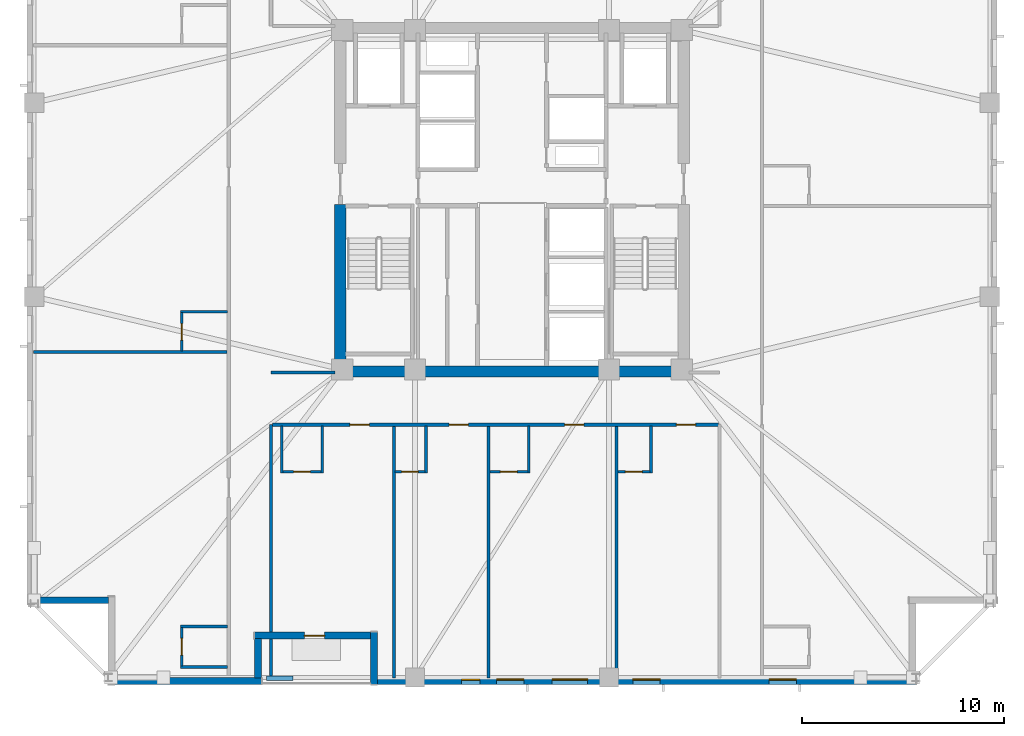
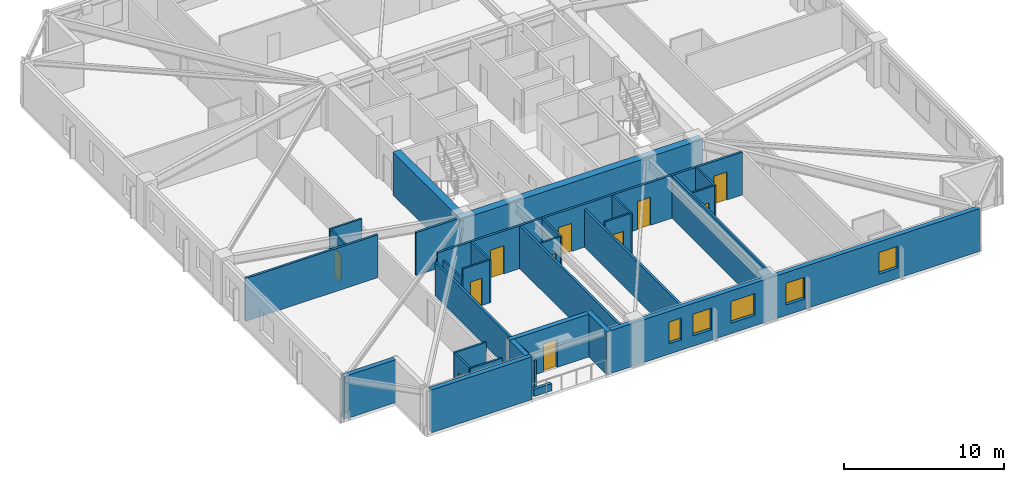
# One storey, part 2 of 11: 30 walls, 11 doors, 5 windows, 16 openings.
"""IFC4 building model written with IfcOpenShell, lengths in metres."""

from ifc_helpers import new_model, si_unit, direction, frame, frame_2d, origin, place, context, subcontext, project, spatial, rectangle, extrude, material, layer, layer_set, type_object, element, fill, save


model = new_model("IFC4")

# Units and contexts
model_context = context("Model", 3, precision=1e-05, world=origin(), true_north=direction((0.0, 1.0)))
body_context = subcontext(model_context, "Body", "Model", "MODEL_VIEW")
ifc_project = project(units=[si_unit("LENGTHUNIT", "METRE"), si_unit("AREAUNIT", "SQUARE_METRE"), si_unit("VOLUMEUNIT", "CUBIC_METRE"), si_unit("PLANEANGLEUNIT", "RADIAN"), si_unit("MASSUNIT", "GRAM", prefix="KILO")], contexts=[model_context])

# Site, building, storey
site_placement = place(None, origin())
site = spatial("IfcSite", under=ifc_project, at=site_placement, CompositionType="ELEMENT")
building_placement = place(site_placement, origin())
building = spatial("IfcBuilding", under=site, at=building_placement, Name="Cairnveth Concourse Tower", CompositionType="ELEMENT")
storey_placement = place(building_placement, frame((0.0, 0.0, 141.0)))
storey = spatial("IfcBuildingStorey", under=building, at=storey_placement, Name="L38", CompositionType="ELEMENT", Elevation=141.0)

# Walls
ifc_material_1 = material(Name="Gypsum Plasterboard Partition", Category="gypsum")
ifc_layer_1 = layer(ifc_material_1, 0.159912109375)
ifc_layer_set_1 = layer_set([ifc_layer_1], Name="Gypsum Plasterboard Partition")
wall_type_1 = type_object("IfcWallType", Name="ACOUSTIC PARTY WALL 180", PredefinedType="PARTITIONING", material=ifc_layer_set_1)
wall_1_placement = place(storey_placement, frame((40.074951171875, 15.4150390625, 0.0), z_axis=(0.0, 0.0, 1.0), x_axis=(0.0, 1.0, 0.0)))
element("IfcWall", 1, at=wall_1_placement, inside=storey, type_object=wall_type_1, Name="Interior Wall IW-L38-037", PredefinedType="PARTITIONING", context=body_context, shape_type="SweptSolid", body=[
    extrude(rectangle(XDim=12.445068359375, YDim=0.159912109375, at=frame_2d((6.22265625, 0.0))), origin(), (0.0, 0.0, 1.0), 2.554931640625),
])
wall_2_placement = place(storey_placement, frame((40.074951171875, 30.449951171875, 0.0), z_axis=(0.0, 0.0, 1.0), x_axis=(1.0, 0.0, 0.0)))
element("IfcWall", 2, at=wall_2_placement, inside=storey, type_object=wall_type_1, Name="Interior Wall IW-L38-039", PredefinedType="PARTITIONING", context=body_context, shape_type="SweptSolid", body=[
    extrude(rectangle(XDim=3.16015625, YDim=0.159912109375, at=frame_2d((1.580078125, 0.0))), origin(), (0.0, 0.0, 1.0), 3.280029296875),
])

# Wall, openings, doors
wall_3_placement = place(storey_placement, frame((40.139892578125, 27.860107421875, 0.0), z_axis=(0.0, 0.0, 1.0), x_axis=(1.0, 0.0, 0.0)))
wall_3 = element("IfcWall", 3, at=wall_3_placement, inside=storey, type_object=wall_type_1, Name="Interior Wall IW-L38-046", PredefinedType="PARTITIONING", context=body_context, shape_type="SweptSolid", body=[
    extrude(rectangle(XDim=22.070068359375, YDim=0.159912109375, at=frame_2d((11.03515625, 0.0))), origin(), (0.0, 0.0, 1.0), 3.280029296875),
])
opening_1_placement = place(wall_3_placement, frame((3.833740234375, 0.0, 0.0)))
opening_1 = element("IfcOpeningElement", 4, at=opening_1_placement, cuts=wall_3, Name="Opening ID09", PredefinedType="OPENING", context=body_context, shape_type="SweptSolid", body=[
    extrude(rectangle(XDim=0.9599609375, YDim=2.14990234375, at=frame_2d((0.47998046875, 1.074951171875))), frame((0.0, 0.08984375, 0.0), z_axis=(0.0, -1.0, 0.0), x_axis=(1.0, 0.0, 0.0)), (0.0, 0.0, 1.0), 0.179931640625),
])
opening_2_placement = place(wall_3_placement, frame((8.746337890625, 0.0, 0.0)))
opening_2 = element("IfcOpeningElement", 5, at=opening_2_placement, cuts=wall_3, Name="Opening ID09", PredefinedType="OPENING", context=body_context, shape_type="SweptSolid", body=[
    extrude(rectangle(XDim=0.9599609375, YDim=2.14990234375, at=frame_2d((0.47998046875, 1.074951171875))), frame((0.0, 0.08984375, 0.0), z_axis=(0.0, -1.0, 0.0), x_axis=(1.0, 0.0, 0.0)), (0.0, 0.0, 1.0), 0.179931640625),
])
opening_3_placement = place(wall_3_placement, frame((14.4599609375, 0.0, 0.0)))
opening_3 = element("IfcOpeningElement", 6, at=opening_3_placement, cuts=wall_3, Name="Opening ID09", PredefinedType="OPENING", context=body_context, shape_type="SweptSolid", body=[
    extrude(rectangle(XDim=0.9599609375, YDim=2.14990234375, at=frame_2d((0.47998046875, 1.074951171875))), frame((0.0, 0.08984375, 0.0), z_axis=(0.0, -1.0, 0.0), x_axis=(1.0, 0.0, 0.0)), (0.0, 0.0, 1.0), 0.179931640625),
])
opening_4_placement = place(wall_3_placement, frame((19.99267578125, 0.0, 0.0)))
opening_4 = element("IfcOpeningElement", 7, at=opening_4_placement, cuts=wall_3, Name="Opening ID09", PredefinedType="OPENING", context=body_context, shape_type="SweptSolid", body=[
    extrude(rectangle(XDim=0.9599609375, YDim=2.14990234375, at=frame_2d((0.47998046875, 1.074951171875))), frame((0.0, 0.08984375, 0.0), z_axis=(0.0, -1.0, 0.0), x_axis=(1.0, 0.0, 0.0)), (0.0, 0.0, 1.0), 0.179931640625),
])
ifc_material_2 = material(Name="Solid Core Hardwood Timber Leaf", Category="wood")
door_type_1 = type_object("IfcDoorType", Name="HOTEL ENTRANCE DOOR 960X2150", OperationType="NOTDEFINED", PredefinedType="DOOR", material=ifc_material_2)
door_1_placement = place(opening_1_placement, origin())
door_1 = element("IfcDoor", 8, at=door_1_placement, inside=storey, type_object=door_type_1, Name="Hotel Room Door L38-S1", OperationType="SINGLE_SWING_LEFT", OverallHeight=2.14990234375, OverallWidth=0.9599609375, PredefinedType="DOOR", context=body_context, shape_type="SweptSolid", body=[
    extrude(rectangle(XDim=0.9599609375, YDim=2.14990234375, at=frame_2d((0.47998046875, 1.074951171875))), frame((0.0, 0.02490234375, 0.0), z_axis=(0.0, -1.0, 0.0), x_axis=(1.0, 0.0, 0.0)), (0.0, 0.0, 1.0), 0.050048828125),
])
fill(opening_1, door_1)
door_2_placement = place(opening_2_placement, origin())
door_2 = element("IfcDoor", 9, at=door_2_placement, inside=storey, type_object=door_type_1, Name="Hotel Room Door L38-S2", OperationType="SINGLE_SWING_LEFT", OverallHeight=2.14990234375, OverallWidth=0.9599609375, PredefinedType="DOOR", context=body_context, shape_type="SweptSolid", body=[
    extrude(rectangle(XDim=0.9599609375, YDim=2.14990234375, at=frame_2d((0.47998046875, 1.074951171875))), frame((0.0, 0.02490234375, 0.0), z_axis=(0.0, -1.0, 0.0), x_axis=(1.0, 0.0, 0.0)), (0.0, 0.0, 1.0), 0.050048828125),
])
fill(opening_2, door_2)
door_3_placement = place(opening_3_placement, origin())
door_3 = element("IfcDoor", 10, at=door_3_placement, inside=storey, type_object=door_type_1, Name="Hotel Room Door L38-S3", OperationType="SINGLE_SWING_LEFT", OverallHeight=2.14990234375, OverallWidth=0.9599609375, PredefinedType="DOOR", context=body_context, shape_type="SweptSolid", body=[
    extrude(rectangle(XDim=0.9599609375, YDim=2.14990234375, at=frame_2d((0.47998046875, 1.074951171875))), frame((0.0, 0.02490234375, 0.0), z_axis=(0.0, -1.0, 0.0), x_axis=(1.0, 0.0, 0.0)), (0.0, 0.0, 1.0), 0.050048828125),
])
fill(opening_3, door_3)
door_4_placement = place(opening_4_placement, origin())
door_4 = element("IfcDoor", 11, at=door_4_placement, inside=storey, type_object=door_type_1, Name="Hotel Room Door L38-S4", OperationType="SINGLE_SWING_LEFT", OverallHeight=2.14990234375, OverallWidth=0.9599609375, PredefinedType="DOOR", context=body_context, shape_type="SweptSolid", body=[
    extrude(rectangle(XDim=0.9599609375, YDim=2.14990234375, at=frame_2d((0.47998046875, 1.074951171875))), frame((0.0, 0.02490234375, 0.0), z_axis=(0.0, -1.0, 0.0), x_axis=(1.0, 0.0, 0.0)), (0.0, 0.0, 1.0), 0.050048828125),
])
fill(opening_4, door_4)

# Walls
wall_4_placement = place(storey_placement, frame((46.152587890625, 15.324951171875, 0.0), z_axis=(0.0, 0.0, 1.0), x_axis=(0.0, 1.0, 0.0)))
element("IfcWall", 12, at=wall_4_placement, inside=storey, type_object=wall_type_1, Name="Interior Wall IW-L38-052", PredefinedType="PARTITIONING", context=body_context, shape_type="SweptSolid", body=[
    extrude(rectangle(XDim=12.455078125, YDim=0.159912109375, at=frame_2d((6.2275390625, 0.0))), origin(), (0.0, 0.0, 1.0), 3.280029296875),
])
wall_5_placement = place(storey_placement, frame((50.83740234375, 15.324951171875, 0.0), z_axis=(0.0, 0.0, 1.0), x_axis=(0.0, 1.0, 0.0)))
element("IfcWall", 13, at=wall_5_placement, inside=storey, type_object=wall_type_1, Name="Interior Wall IW-L38-055", PredefinedType="PARTITIONING", context=body_context, shape_type="SweptSolid", body=[
    extrude(rectangle(XDim=12.455078125, YDim=0.159912109375, at=frame_2d((6.2275390625, 0.0))), origin(), (0.0, 0.0, 1.0), 2.89599609375),
])
wall_6_placement = place(storey_placement, frame((57.172607421875, 15.324951171875, 0.0), z_axis=(0.0, 0.0, 1.0), x_axis=(0.0, 1.0, 0.0)))
element("IfcWall", 14, at=wall_6_placement, inside=storey, type_object=wall_type_1, Name="Interior Wall IW-L38-058", PredefinedType="PARTITIONING", context=body_context, shape_type="SweptSolid", body=[
    extrude(rectangle(XDim=12.455078125, YDim=0.159912109375, at=frame_2d((6.2275390625, 0.0))), origin(), (0.0, 0.0, 1.0), 3.280029296875),
])
wall_7_placement = place(storey_placement, frame((28.324951171875, 31.456787109375, 0.0), z_axis=(0.0, 0.0, 1.0), x_axis=(1.0, 0.0, 0.0)))
element("IfcWall", 15, at=wall_7_placement, inside=storey, type_object=wall_type_1, Name="Interior Wall IW-L38-064", PredefinedType="PARTITIONING", context=body_context, shape_type="SweptSolid", body=[
    extrude(rectangle(XDim=9.570068359375, YDim=0.159912109375, at=frame_2d((4.78515625, 0.0))), origin(), (0.0, 0.0, 1.0), 3.280029296875),
])
ifc_material_3 = material(Name="Concrete N80 (80 MPa)", Category="concrete")
ifc_layer_2 = layer(ifc_material_3, 0.550048828125)
ifc_layer_set_2 = layer_set([ifc_layer_2], Name="Concrete N80 (80 MPa)")
wall_type_2 = type_object("IfcWallType", Name="CORE SHEAR WALL 550", PredefinedType="SHEAR", material=ifc_layer_set_2)
wall_8_placement = place(storey_placement, frame((43.22509765625, 30.5, 0.0), z_axis=(0.0, 0.0, 1.0), x_axis=(1.0, 0.0, 0.0)))
element("IfcWall", 16, at=wall_8_placement, inside=storey, type_object=wall_type_2, Name="Core South Shear Wall L38", PredefinedType="SHEAR", context=body_context, shape_type="SweptSolid", body=[
    extrude(rectangle(XDim=17.5498046875, YDim=0.550048828125, at=frame_2d((8.77490234375, 0.0))), origin(), (0.0, 0.0, 1.0), 3.280029296875),
])
wall_9_placement = place(storey_placement, frame((43.5, 30.764892578125, 0.0), z_axis=(0.0, 0.0, 1.0), x_axis=(0.0, 1.0, 0.0)))
element("IfcWall", 17, at=wall_9_placement, inside=storey, type_object=wall_type_2, Name="Core West Shear Wall S L38", PredefinedType="SHEAR", context=body_context, shape_type="SweptSolid", body=[
    extrude(rectangle(XDim=7.985107421875, YDim=0.550048828125, at=frame_2d((3.99267578125, 0.0))), origin(), (0.0, 0.0, 1.0), 3.280029296875),
])
ifc_material_4 = material(Name="Dressed Melbourne Bluestone Cladding", Category="masonry")
ifc_layer_3 = layer(ifc_material_4, 0.219970703125)
ifc_layer_set_3 = layer_set([ifc_layer_3], Name="Dressed Melbourne Bluestone Cladding")
wall_type_3 = type_object("IfcWallType", Name="TERRACE PLANTER CURB WALL 220", PredefinedType="PARAPET", material=ifc_layer_set_3)
wall_10_placement = place(storey_placement, frame((39.85009765625, 15.320068359375, 0.0), z_axis=(0.0, 0.0, 1.0), x_axis=(1.0, 0.0, 0.0)))
element("IfcWall", 18, at=wall_10_placement, inside=storey, type_object=wall_type_3, Name="Exterior Wall PLNT-L38-TERR", PredefinedType="PARAPET", context=body_context, shape_type="SweptSolid", body=[
    extrude(rectangle(XDim=1.2998046875, YDim=0.219970703125, at=frame_2d((0.64990234375, 0.0))), origin(), (0.0, 0.0, 1.0), 0.550048828125),
])
ifc_layer_4 = layer(ifc_material_1, 0.1298828125)
ifc_layer_set_4 = layer_set([ifc_layer_4], Name="Gypsum Plasterboard Partition")
wall_type_4 = type_object("IfcWallType", Name="WET AREA PARTITION 140", PredefinedType="PLUMBINGWALL", material=ifc_layer_set_4)
wall_11_placement = place(storey_placement, frame((40.60498046875, 25.47998046875, 0.0), z_axis=(0.0, 0.0, 1.0), x_axis=(0.0, 1.0, 0.0)))
element("IfcWall", 19, at=wall_11_placement, inside=storey, type_object=wall_type_4, Name="Interior Wall IW-L38-049", PredefinedType="PLUMBINGWALL", context=body_context, shape_type="SweptSolid", body=[
    extrude(rectangle(XDim=2.31494140625, YDim=0.1298828125, at=frame_2d((1.157470703125, 0.0))), origin(), (0.0, 0.0, 1.0), 2.554931640625),
])
wall_12_placement = place(storey_placement, frame((42.60498046875, 25.47998046875, 0.0), z_axis=(0.0, 0.0, 1.0), x_axis=(0.0, 1.0, 0.0)))
element("IfcWall", 20, at=wall_12_placement, inside=storey, type_object=wall_type_4, Name="Interior Wall IW-L38-050", PredefinedType="PLUMBINGWALL", context=body_context, shape_type="SweptSolid", body=[
    extrude(rectangle(XDim=2.31494140625, YDim=0.1298828125, at=frame_2d((1.157470703125, 0.0))), origin(), (0.0, 0.0, 1.0), 3.280029296875),
])

# Wall, opening, door
wall_13_placement = place(storey_placement, frame((40.655029296875, 25.530029296875, 0.0), z_axis=(0.0, 0.0, 1.0), x_axis=(1.0, 0.0, 0.0)))
wall_13 = element("IfcWall", 21, at=wall_13_placement, inside=storey, type_object=wall_type_4, Name="Interior Wall IW-L38-051", PredefinedType="PLUMBINGWALL", context=body_context, shape_type="SweptSolid", body=[
    extrude(rectangle(XDim=1.89990234375, YDim=0.1298828125, at=frame_2d((0.949951171875, 0.0))), origin(), (0.0, 0.0, 1.0), 3.280029296875),
])
opening_5_placement = place(wall_13_placement, frame((0.5400390625, 0.0, 0.0)))
opening_5 = element("IfcOpeningElement", 22, at=opening_5_placement, cuts=wall_13, Name="Opening ID22", PredefinedType="OPENING", context=body_context, shape_type="SweptSolid", body=[
    extrude(rectangle(XDim=0.820068359375, YDim=2.10009765625, at=frame_2d((0.41015625, 1.050048828125))), frame((0.0, 0.074951171875, 0.0), z_axis=(0.0, -1.0, 0.0), x_axis=(1.0, 0.0, 0.0)), (0.0, 0.0, 1.0), 0.14990234375),
])
door_type_2 = type_object("IfcDoorType", Name="INTERIOR WC DOOR 820X2100", OperationType="NOTDEFINED", PredefinedType="DOOR", material=ifc_material_2)
door_5_placement = place(opening_5_placement, origin())
door_5 = element("IfcDoor", 23, at=door_5_placement, inside=storey, type_object=door_type_2, Name="En-Suite Door L38-S1", OperationType="SINGLE_SWING_RIGHT", OverallHeight=2.10009765625, OverallWidth=0.820068359375, PredefinedType="DOOR", context=body_context, shape_type="SweptSolid", body=[
    extrude(rectangle(XDim=0.820068359375, YDim=2.10009765625, at=frame_2d((0.41015625, 1.050048828125))), frame((0.0, 0.02490234375, 0.0), z_axis=(0.0, -1.0, 0.0), x_axis=(1.0, 0.0, 0.0)), (0.0, 0.0, 1.0), 0.050048828125),
])
fill(opening_5, door_5)

# Wall
wall_14_placement = place(storey_placement, frame((47.745361328125, 25.47998046875, 0.0), z_axis=(0.0, 0.0, 1.0), x_axis=(0.0, 1.0, 0.0)))
element("IfcWall", 24, at=wall_14_placement, inside=storey, type_object=wall_type_4, Name="Interior Wall IW-L38-053", PredefinedType="PLUMBINGWALL", context=body_context, shape_type="SweptSolid", body=[
    extrude(rectangle(XDim=2.31494140625, YDim=0.1298828125, at=frame_2d((1.157470703125, 0.0))), origin(), (0.0, 0.0, 1.0), 3.280029296875),
])

# Wall, opening, door
wall_15_placement = place(storey_placement, frame((46.217529296875, 25.530029296875, 0.0), z_axis=(0.0, 0.0, 1.0), x_axis=(1.0, 0.0, 0.0)))
wall_15 = element("IfcWall", 25, at=wall_15_placement, inside=storey, type_object=wall_type_4, Name="Interior Wall IW-L38-054", PredefinedType="PLUMBINGWALL", context=body_context, shape_type="SweptSolid", body=[
    extrude(rectangle(XDim=1.477783203125, YDim=0.1298828125, at=frame_2d((0.73876953125, 0.0))), origin(), (0.0, 0.0, 1.0), 3.280029296875),
])
opening_6_placement = place(wall_15_placement, frame((0.3212890625, 0.0, 0.0)))
opening_6 = element("IfcOpeningElement", 26, at=opening_6_placement, cuts=wall_15, Name="Opening ID22", PredefinedType="OPENING", context=body_context, shape_type="SweptSolid", body=[
    extrude(rectangle(XDim=0.820068359375, YDim=2.10009765625, at=frame_2d((0.41015625, 1.050048828125))), frame((0.0, 0.074951171875, 0.0), z_axis=(0.0, -1.0, 0.0), x_axis=(1.0, 0.0, 0.0)), (0.0, 0.0, 1.0), 0.14990234375),
])
door_6_placement = place(opening_6_placement, origin())
door_6 = element("IfcDoor", 27, at=door_6_placement, inside=storey, type_object=door_type_2, Name="En-Suite Door L38-S2", OperationType="SINGLE_SWING_RIGHT", OverallHeight=2.10009765625, OverallWidth=0.820068359375, PredefinedType="DOOR", context=body_context, shape_type="SweptSolid", body=[
    extrude(rectangle(XDim=0.820068359375, YDim=2.10009765625, at=frame_2d((0.41015625, 1.050048828125))), frame((0.0, 0.02490234375, 0.0), z_axis=(0.0, -1.0, 0.0), x_axis=(1.0, 0.0, 0.0)), (0.0, 0.0, 1.0), 0.050048828125),
])
fill(opening_6, door_6)

# Wall
wall_16_placement = place(storey_placement, frame((52.83740234375, 25.47998046875, 0.0), z_axis=(0.0, 0.0, 1.0), x_axis=(0.0, 1.0, 0.0)))
element("IfcWall", 28, at=wall_16_placement, inside=storey, type_object=wall_type_4, Name="Interior Wall IW-L38-056", PredefinedType="PLUMBINGWALL", context=body_context, shape_type="SweptSolid", body=[
    extrude(rectangle(XDim=2.31494140625, YDim=0.1298828125, at=frame_2d((1.157470703125, 0.0))), origin(), (0.0, 0.0, 1.0), 3.280029296875),
])

# Wall, opening, door
wall_17_placement = place(storey_placement, frame((50.902587890625, 25.530029296875, 0.0), z_axis=(0.0, 0.0, 1.0), x_axis=(1.0, 0.0, 0.0)))
wall_17 = element("IfcWall", 29, at=wall_17_placement, inside=storey, type_object=wall_type_4, Name="Interior Wall IW-L38-057", PredefinedType="PLUMBINGWALL", context=body_context, shape_type="SweptSolid", body=[
    extrude(rectangle(XDim=1.885009765625, YDim=0.1298828125, at=frame_2d((0.9423828125, 0.0))), origin(), (0.0, 0.0, 1.0), 3.280029296875),
])
opening_7_placement = place(wall_17_placement, frame((0.52490234375, 0.0, 0.0)))
opening_7 = element("IfcOpeningElement", 30, at=opening_7_placement, cuts=wall_17, Name="Opening ID22", PredefinedType="OPENING", context=body_context, shape_type="SweptSolid", body=[
    extrude(rectangle(XDim=0.820068359375, YDim=2.10009765625, at=frame_2d((0.41015625, 1.050048828125))), frame((0.0, 0.074951171875, 0.0), z_axis=(0.0, -1.0, 0.0), x_axis=(1.0, 0.0, 0.0)), (0.0, 0.0, 1.0), 0.14990234375),
])
door_7_placement = place(opening_7_placement, origin())
door_7 = element("IfcDoor", 31, at=door_7_placement, inside=storey, type_object=door_type_2, Name="En-Suite Door L38-S3", OperationType="SINGLE_SWING_RIGHT", OverallHeight=2.10009765625, OverallWidth=0.820068359375, PredefinedType="DOOR", context=body_context, shape_type="SweptSolid", body=[
    extrude(rectangle(XDim=0.820068359375, YDim=2.10009765625, at=frame_2d((0.41015625, 1.050048828125))), frame((0.0, 0.02490234375, 0.0), z_axis=(0.0, -1.0, 0.0), x_axis=(1.0, 0.0, 0.0)), (0.0, 0.0, 1.0), 0.050048828125),
])
fill(opening_7, door_7)

# Wall
wall_18_placement = place(storey_placement, frame((58.880126953125, 25.47998046875, 0.0), z_axis=(0.0, 0.0, 1.0), x_axis=(0.0, 1.0, 0.0)))
element("IfcWall", 32, at=wall_18_placement, inside=storey, type_object=wall_type_4, Name="Interior Wall IW-L38-059", PredefinedType="PLUMBINGWALL", context=body_context, shape_type="SweptSolid", body=[
    extrude(rectangle(XDim=2.31494140625, YDim=0.1298828125, at=frame_2d((1.157470703125, 0.0))), origin(), (0.0, 0.0, 1.0), 3.280029296875),
])

# Wall, opening, door
wall_19_placement = place(storey_placement, frame((57.237548828125, 25.530029296875, 0.0), z_axis=(0.0, 0.0, 1.0), x_axis=(1.0, 0.0, 0.0)))
wall_19 = element("IfcWall", 33, at=wall_19_placement, inside=storey, type_object=wall_type_4, Name="Interior Wall IW-L38-060", PredefinedType="PLUMBINGWALL", context=body_context, shape_type="SweptSolid", body=[
    extrude(rectangle(XDim=1.592529296875, YDim=0.1298828125, at=frame_2d((0.79638671875, 0.0))), origin(), (0.0, 0.0, 1.0), 3.280029296875),
])
opening_8_placement = place(wall_19_placement, frame((0.37890625, 0.0, 0.0)))
opening_8 = element("IfcOpeningElement", 34, at=opening_8_placement, cuts=wall_19, Name="Opening ID22", PredefinedType="OPENING", context=body_context, shape_type="SweptSolid", body=[
    extrude(rectangle(XDim=0.820068359375, YDim=2.10009765625, at=frame_2d((0.41015625, 1.050048828125))), frame((0.0, 0.074951171875, 0.0), z_axis=(0.0, -1.0, 0.0), x_axis=(1.0, 0.0, 0.0)), (0.0, 0.0, 1.0), 0.14990234375),
])
door_8_placement = place(opening_8_placement, origin())
door_8 = element("IfcDoor", 35, at=door_8_placement, inside=storey, type_object=door_type_2, Name="En-Suite Door L38-S4", OperationType="SINGLE_SWING_RIGHT", OverallHeight=2.10009765625, OverallWidth=0.820068359375, PredefinedType="DOOR", context=body_context, shape_type="SweptSolid", body=[
    extrude(rectangle(XDim=0.820068359375, YDim=2.10009765625, at=frame_2d((0.41015625, 1.050048828125))), frame((0.0, 0.02490234375, 0.0), z_axis=(0.0, -1.0, 0.0), x_axis=(1.0, 0.0, 0.0)), (0.0, 0.0, 1.0), 0.050048828125),
])
fill(opening_8, door_8)

# Walls
for number, where, z_axis, x_axis, name in (
    (36, (35.594970703125, 15.8701171875, 0.0), (0.0, 0.0, 1.0), (1.0, 0.0, 0.0), "Interior Wall IW-L38-061"),
    (37, (35.594970703125, 17.8701171875, 0.0), (0.0, 0.0, 1.0), (1.0, 0.0, 0.0), "Interior Wall IW-L38-062"),
):
    element("IfcWall", number, at=place(storey_placement, frame(where, z_axis=z_axis, x_axis=x_axis)), inside=storey, type_object=wall_type_4, Name=name, PredefinedType="PLUMBINGWALL", context=body_context, shape_type="SweptSolid", body=[
        extrude(rectangle(XDim=2.31494140625, YDim=0.1298828125, at=frame_2d((1.157470703125, 0.0))), origin(), (0.0, 0.0, 1.0), 3.280029296875),
    ])

# Wall, opening, door
wall_20_placement = place(storey_placement, frame((35.64501953125, 15.919921875, 0.0), z_axis=(0.0, 0.0, 1.0), x_axis=(0.0, 1.0, 0.0)))
wall_20 = element("IfcWall", 38, at=wall_20_placement, inside=storey, type_object=wall_type_4, Name="Interior Wall IW-L38-063", PredefinedType="PLUMBINGWALL", context=body_context, shape_type="SweptSolid", body=[
    extrude(rectangle(XDim=1.900146484375, YDim=0.1298828125, at=frame_2d((0.9501953125, 0.0))), origin(), (0.0, 0.0, 1.0), 3.280029296875),
])
opening_9_placement = place(wall_20_placement, frame((0.5400390625, 0.0, 0.0)))
opening_9 = element("IfcOpeningElement", 39, at=opening_9_placement, cuts=wall_20, Name="Opening ID22", PredefinedType="OPENING", context=body_context, shape_type="SweptSolid", body=[
    extrude(rectangle(XDim=0.820068359375, YDim=2.10009765625, at=frame_2d((0.41015625, 1.050048828125))), frame((0.0, 0.074951171875, 0.0), z_axis=(0.0, -1.0, 0.0), x_axis=(1.0, 0.0, 0.0)), (0.0, 0.0, 1.0), 0.14990234375),
])
door_9_placement = place(opening_9_placement, origin())
door_9 = element("IfcDoor", 40, at=door_9_placement, inside=storey, type_object=door_type_2, Name="En-Suite Door L38-W1", OperationType="SINGLE_SWING_RIGHT", OverallHeight=2.10009765625, OverallWidth=0.820068359375, PredefinedType="DOOR", context=body_context, shape_type="SweptSolid", body=[
    extrude(rectangle(XDim=0.820068359375, YDim=2.10009765625, at=frame_2d((0.41015625, 1.050048828125))), frame((0.0, 0.02490234375, 0.0), z_axis=(0.0, -1.0, 0.0), x_axis=(1.0, 0.0, 0.0)), (0.0, 0.0, 1.0), 0.050048828125),
])
fill(opening_9, door_9)

# Wall
wall_21_placement = place(storey_placement, frame((35.594970703125, 33.456787109375, 0.0), z_axis=(0.0, 0.0, 1.0), x_axis=(1.0, 0.0, 0.0)))
element("IfcWall", 41, at=wall_21_placement, inside=storey, type_object=wall_type_4, Name="Interior Wall IW-L38-065", PredefinedType="PLUMBINGWALL", context=body_context, shape_type="SweptSolid", body=[
    extrude(rectangle(XDim=2.31494140625, YDim=0.1298828125, at=frame_2d((1.157470703125, 0.0))), origin(), (0.0, 0.0, 1.0), 3.280029296875),
])

# Wall, opening, door
wall_22_placement = place(storey_placement, frame((35.64501953125, 31.52197265625, 0.0), z_axis=(0.0, 0.0, 1.0), x_axis=(0.0, 1.0, 0.0)))
wall_22 = element("IfcWall", 42, at=wall_22_placement, inside=storey, type_object=wall_type_4, Name="Interior Wall IW-L38-066", PredefinedType="PLUMBINGWALL", context=body_context, shape_type="SweptSolid", body=[
    extrude(rectangle(XDim=1.885009765625, YDim=0.1298828125, at=frame_2d((0.9423828125, 0.0))), origin(), (0.0, 0.0, 1.0), 3.280029296875),
])
opening_10_placement = place(wall_22_placement, frame((0.52490234375, 0.0, 0.0)))
opening_10 = element("IfcOpeningElement", 43, at=opening_10_placement, cuts=wall_22, Name="Opening ID22", PredefinedType="OPENING", context=body_context, shape_type="SweptSolid", body=[
    extrude(rectangle(XDim=0.820068359375, YDim=2.10009765625, at=frame_2d((0.41015625, 1.050048828125))), frame((0.0, 0.074951171875, 0.0), z_axis=(0.0, -1.0, 0.0), x_axis=(1.0, 0.0, 0.0)), (0.0, 0.0, 1.0), 0.14990234375),
])
door_10_placement = place(opening_10_placement, origin())
door_10 = element("IfcDoor", 44, at=door_10_placement, inside=storey, type_object=door_type_2, Name="En-Suite Door L38-W2", OperationType="SINGLE_SWING_RIGHT", OverallHeight=2.10009765625, OverallWidth=0.820068359375, PredefinedType="DOOR", context=body_context, shape_type="SweptSolid", body=[
    extrude(rectangle(XDim=0.820068359375, YDim=2.10009765625, at=frame_2d((0.41015625, 1.050048828125))), frame((0.0, 0.02490234375, 0.0), z_axis=(0.0, -1.0, 0.0), x_axis=(1.0, 0.0, 0.0)), (0.0, 0.0, 1.0), 0.050048828125),
])
fill(opening_10, door_10)

# Walls
ifc_material_5 = material(Name="Hawthorn Red-Ochre Fired Clay Brick Masonry", Category="masonry")
ifc_layer_5 = layer(ifc_material_5, 0.340087890625)
ifc_layer_set_5 = layer_set([ifc_layer_5], Name="Hawthorn Red-Ochre Fired Clay Brick Masonry")
wall_type_5 = type_object("IfcWallType", Name="ZONE 2 BRICK PIER SPANDREL WALL 340", PredefinedType="SOLIDWALL", material=ifc_layer_set_5)
wall_23_placement = place(storey_placement, frame((39.60009765625, 15.169921875, 0.0), z_axis=(0.0, 0.0, 1.0), x_axis=(-1.0, 0.0, 0.0)))
element("IfcWall", 45, at=wall_23_placement, inside=storey, type_object=wall_type_5, Name="Exterior Wall EW-L38-S00", PredefinedType="SOLIDWALL", context=body_context, shape_type="SweptSolid", body=[
    extrude(rectangle(XDim=7.281982421875, YDim=0.340087890625, at=frame_2d((3.64111328125, 0.0))), origin(), (0.0, 0.0, 1.0), 3.280029296875),
])
wall_24_placement = place(storey_placement, frame((32.02197265625, 19.169921875, 0.0), z_axis=(0.0, 0.0, 1.0), x_axis=(-1.0, 0.0, 0.0)))
element("IfcWall", 46, at=wall_24_placement, inside=storey, type_object=wall_type_5, Name="Exterior Wall EW-L38-S02", PredefinedType="SOLIDWALL", context=body_context, shape_type="SweptSolid", body=[
    extrude(rectangle(XDim=3.703857421875, YDim=0.340087890625, at=frame_2d((1.85205078125, 0.0))), origin(), (0.0, 0.0, 1.0), 3.280029296875),
])

# Wall, openings, windows
wall_25_placement = place(storey_placement, frame((72.0, 15.169921875, 0.0), z_axis=(0.0, 0.0, 1.0), x_axis=(-1.0, 0.0, 0.0)))
wall_25 = element("IfcWall", 47, at=wall_25_placement, inside=storey, type_object=wall_type_5, Name="Exterior Wall EW-L38-S12", PredefinedType="SOLIDWALL", context=body_context, shape_type="SweptSolid", body=[
    extrude(rectangle(XDim=26.681884765625, YDim=0.340087890625, at=frame_2d((13.3408203125, 0.0))), origin(), (0.0, 0.0, 1.0), 3.280029296875),
])
opening_11_placement = place(wall_25_placement, frame((5.923095703125, 0.0, 0.800048828125)))
opening_11 = element("IfcOpeningElement", 48, at=opening_11_placement, cuts=wall_25, Name="Opening W02", PredefinedType="OPENING", context=body_context, shape_type="SweptSolid", body=[
    extrude(rectangle(XDim=1.35009765625, YDim=1.659912109375, at=frame_2d((0.675048828125, 0.830078125))), frame((0.0, 0.179931640625, 0.0), z_axis=(0.0, -1.0, 0.0), x_axis=(1.0, 0.0, 0.0)), (0.0, 0.0, 1.0), 0.360107421875),
])
opening_12_placement = place(wall_25_placement, frame((12.666015625, 0.0, 0.800048828125)))
opening_12 = element("IfcOpeningElement", 49, at=opening_12_placement, cuts=wall_25, Name="Opening W02", PredefinedType="OPENING", context=body_context, shape_type="SweptSolid", body=[
    extrude(rectangle(XDim=1.35009765625, YDim=1.659912109375, at=frame_2d((0.675048828125, 0.830078125))), frame((0.0, 0.179931640625, 0.0), z_axis=(0.0, -1.0, 0.0), x_axis=(1.0, 0.0, 0.0)), (0.0, 0.0, 1.0), 0.360107421875),
])
opening_13_placement = place(wall_25_placement, frame((16.262451171875, 0.0, 0.800048828125)))
opening_13 = element("IfcOpeningElement", 50, at=opening_13_placement, cuts=wall_25, Name="Opening W06", PredefinedType="OPENING", context=body_context, shape_type="SweptSolid", body=[
    extrude(rectangle(XDim=1.75, YDim=1.659912109375, at=frame_2d((0.875, 0.830078125))), frame((0.0, 0.179931640625, 0.0), z_axis=(0.0, -1.0, 0.0), x_axis=(1.0, 0.0, 0.0)), (0.0, 0.0, 1.0), 0.360107421875),
])
opening_14_placement = place(wall_25_placement, frame((19.40869140625, 0.0, 0.800048828125)))
opening_14 = element("IfcOpeningElement", 51, at=opening_14_placement, cuts=wall_25, Name="Opening W02", PredefinedType="OPENING", context=body_context, shape_type="SweptSolid", body=[
    extrude(rectangle(XDim=1.35009765625, YDim=1.659912109375, at=frame_2d((0.675048828125, 0.830078125))), frame((0.0, 0.179931640625, 0.0), z_axis=(0.0, -1.0, 0.0), x_axis=(1.0, 0.0, 0.0)), (0.0, 0.0, 1.0), 0.360107421875),
])
opening_15_placement = place(wall_25_placement, frame((21.590087890625, 0.0, 0.800048828125)))
opening_15 = element("IfcOpeningElement", 52, at=opening_15_placement, cuts=wall_25, Name="Opening W13", PredefinedType="OPENING", context=body_context, shape_type="SweptSolid", body=[
    extrude(rectangle(XDim=0.89990234375, YDim=1.659912109375, at=frame_2d((0.449951171875, 0.830078125))), frame((0.0, 0.179931640625, 0.0), z_axis=(0.0, -1.0, 0.0), x_axis=(1.0, 0.0, 0.0)), (0.0, 0.0, 1.0), 0.360107421875),
])
ifc_material_6 = material(Name="Double Glazed Low-E Clear Glass", Category="glass")
window_type_1 = type_object("IfcWindowType", Name="DEEP-SET BEDROOM LANCET WINDOW 900X1750", PartitioningType="DOUBLE_PANEL_VERTICAL", PredefinedType="WINDOW", material=ifc_material_6)
window_1_placement = place(opening_15_placement, origin())
window_1 = element("IfcWindow", 53, at=window_1_placement, inside=storey, type_object=window_type_1, Name="Dwelling Lancet Window L38-DW1", OverallHeight=1.659912109375, OverallWidth=0.89990234375, PartitioningType="SINGLE_PANEL", PredefinedType="WINDOW", context=body_context, shape_type="SweptSolid", body=[
    extrude(rectangle(XDim=0.89990234375, YDim=1.659912109375, at=frame_2d((0.449951171875, 0.830078125))), frame((0.0, -0.0400390625, 0.0), z_axis=(0.0, -1.0, 0.0), x_axis=(1.0, 0.0, 0.0)), (0.0, 0.0, 1.0), 0.06005859375),
])
fill(opening_15, window_1)
window_type_2 = type_object("IfcWindowType", Name="DEEP-SET GOTHIC LANCET WINDOW 1350X1800", PartitioningType="DOUBLE_PANEL_VERTICAL", PredefinedType="WINDOW", material=ifc_material_6)
window_2_placement = place(opening_11_placement, origin())
window_2 = element("IfcWindow", 54, at=window_2_placement, inside=storey, type_object=window_type_2, Name="Gothic Lancet Window L38-12-1", OverallHeight=1.659912109375, OverallWidth=1.35009765625, PartitioningType="SINGLE_PANEL", PredefinedType="WINDOW", context=body_context, shape_type="SweptSolid", body=[
    extrude(rectangle(XDim=1.35009765625, YDim=1.659912109375, at=frame_2d((0.675048828125, 0.830078125))), frame((0.0, -0.050048828125, 0.0), z_axis=(0.0, -1.0, 0.0), x_axis=(1.0, 0.0, 0.0)), (0.0, 0.0, 1.0), 0.06005859375),
])
fill(opening_11, window_2)
window_3_placement = place(opening_12_placement, origin())
window_3 = element("IfcWindow", 55, at=window_3_placement, inside=storey, type_object=window_type_2, Name="Gothic Lancet Window L38-12-3", OverallHeight=1.659912109375, OverallWidth=1.35009765625, PartitioningType="SINGLE_PANEL", PredefinedType="WINDOW", context=body_context, shape_type="SweptSolid", body=[
    extrude(rectangle(XDim=1.35009765625, YDim=1.659912109375, at=frame_2d((0.675048828125, 0.830078125))), frame((0.0, -0.050048828125, 0.0), z_axis=(0.0, -1.0, 0.0), x_axis=(1.0, 0.0, 0.0)), (0.0, 0.0, 1.0), 0.06005859375),
])
fill(opening_12, window_3)
window_4_placement = place(opening_14_placement, origin())
window_4 = element("IfcWindow", 56, at=window_4_placement, inside=storey, type_object=window_type_2, Name="Gothic Lancet Window L38-12-5", OverallHeight=1.659912109375, OverallWidth=1.35009765625, PartitioningType="SINGLE_PANEL", PredefinedType="WINDOW", context=body_context, shape_type="SweptSolid", body=[
    extrude(rectangle(XDim=1.35009765625, YDim=1.659912109375, at=frame_2d((0.675048828125, 0.830078125))), frame((0.0, -0.050048828125, 0.0), z_axis=(0.0, -1.0, 0.0), x_axis=(1.0, 0.0, 0.0)), (0.0, 0.0, 1.0), 0.06005859375),
])
fill(opening_14, window_4)
window_type_3 = type_object("IfcWindowType", Name="DEEP-SET HOTEL SUITE WINDOW 1750X1800", PartitioningType="DOUBLE_PANEL_VERTICAL", PredefinedType="WINDOW", material=ifc_material_6)
window_5_placement = place(opening_13_placement, origin())
window_5 = element("IfcWindow", 57, at=window_5_placement, inside=storey, type_object=window_type_3, Name="Gothic Lancet Window L38-12-4", OverallHeight=1.659912109375, OverallWidth=1.75, PartitioningType="SINGLE_PANEL", PredefinedType="WINDOW", context=body_context, shape_type="SweptSolid", body=[
    extrude(rectangle(XDim=1.75, YDim=1.659912109375, at=frame_2d((0.875, 0.830078125))), frame((0.0, -0.050048828125, 0.0), z_axis=(0.0, -1.0, 0.0), x_axis=(1.0, 0.0, 0.0)), (0.0, 0.0, 1.0), 0.06005859375),
])
fill(opening_13, window_5)

# Wall
wall_26_placement = place(storey_placement, frame((45.169921875, 15.0, 0.0), z_axis=(0.0, 0.0, 1.0), x_axis=(0.0, 1.0, 0.0)))
element("IfcWall", 58, at=wall_26_placement, inside=storey, type_object=wall_type_5, Name="Exterior Wall EW-L38-S13", PredefinedType="SOLIDWALL", context=body_context, shape_type="SweptSolid", body=[
    extrude(rectangle(XDim=2.590087890625, YDim=0.340087890625, at=frame_2d((1.294921875, 0.0))), origin(), (0.0, 0.0, 1.0), 3.280029296875),
])

# Wall, opening, door
wall_27_placement = place(storey_placement, frame((45.02197265625, 17.419921875, 0.0), z_axis=(0.0, 0.0, 1.0), x_axis=(-1.0, 0.0, 0.0)))
wall_27 = element("IfcWall", 59, at=wall_27_placement, inside=storey, type_object=wall_type_5, Name="Exterior Wall EW-L38-S14", PredefinedType="SOLIDWALL", context=body_context, shape_type="SweptSolid", body=[
    extrude(rectangle(XDim=5.761962890625, YDim=0.340087890625, at=frame_2d((2.880859375, 0.0))), origin(), (0.0, 0.0, 1.0), 3.280029296875),
])
opening_16_placement = place(wall_27_placement, frame((2.298583984375, 0.0, 0.0)))
opening_16 = element("IfcOpeningElement", 60, at=opening_16_placement, cuts=wall_27, Name="Opening ED4", PredefinedType="OPENING", context=body_context, shape_type="SweptSolid", body=[
    extrude(rectangle(XDim=1.0, YDim=2.14990234375, at=frame_2d((0.5, 1.074951171875))), frame((0.0, 0.179931640625, 0.0), z_axis=(0.0, -1.0, 0.0), x_axis=(1.0, 0.0, 0.0)), (0.0, 0.0, 1.0), 0.360107421875),
])
ifc_material_7 = material(Name="Architectural Bronze Anodised Aluminium 6063-T6", Category="aluminium")
door_type_3 = type_object("IfcDoorType", Name="TERRACE GLAZED DOOR 1000X2150", OperationType="NOTDEFINED", PredefinedType="DOOR", material=ifc_material_7)
door_11_placement = place(opening_16_placement, origin())
door_11 = element("IfcDoor", 61, at=door_11_placement, inside=storey, type_object=door_type_3, Name="Spiral Terrace Door L38", OperationType="SINGLE_SWING_LEFT", OverallHeight=2.14990234375, OverallWidth=1.0, PredefinedType="DOOR", context=body_context, shape_type="SweptSolid", body=[
    extrude(rectangle(XDim=1.0, YDim=2.14990234375, at=frame_2d((0.5, 1.074951171875))), frame((0.0, 0.02490234375, 0.0), z_axis=(0.0, -1.0, 0.0), x_axis=(1.0, 0.0, 0.0)), (0.0, 0.0, 1.0), 0.050048828125),
])
fill(opening_16, door_11)

# Wall
wall_28_placement = place(storey_placement, frame((39.429931640625, 17.27197265625, 0.0), z_axis=(0.0, 0.0, 1.0), x_axis=(0.0, -1.0, 0.0)))
element("IfcWall", 62, at=wall_28_placement, inside=storey, type_object=wall_type_5, Name="Exterior Wall EW-L38-S15", PredefinedType="SOLIDWALL", context=body_context, shape_type="SweptSolid", body=[
    extrude(rectangle(XDim=1.953857421875, YDim=0.340087890625, at=frame_2d((0.97705078125, 0.0))), origin(), (0.0, 0.0, 1.0), 3.280029296875),
])

save(model, "model.ifc")
